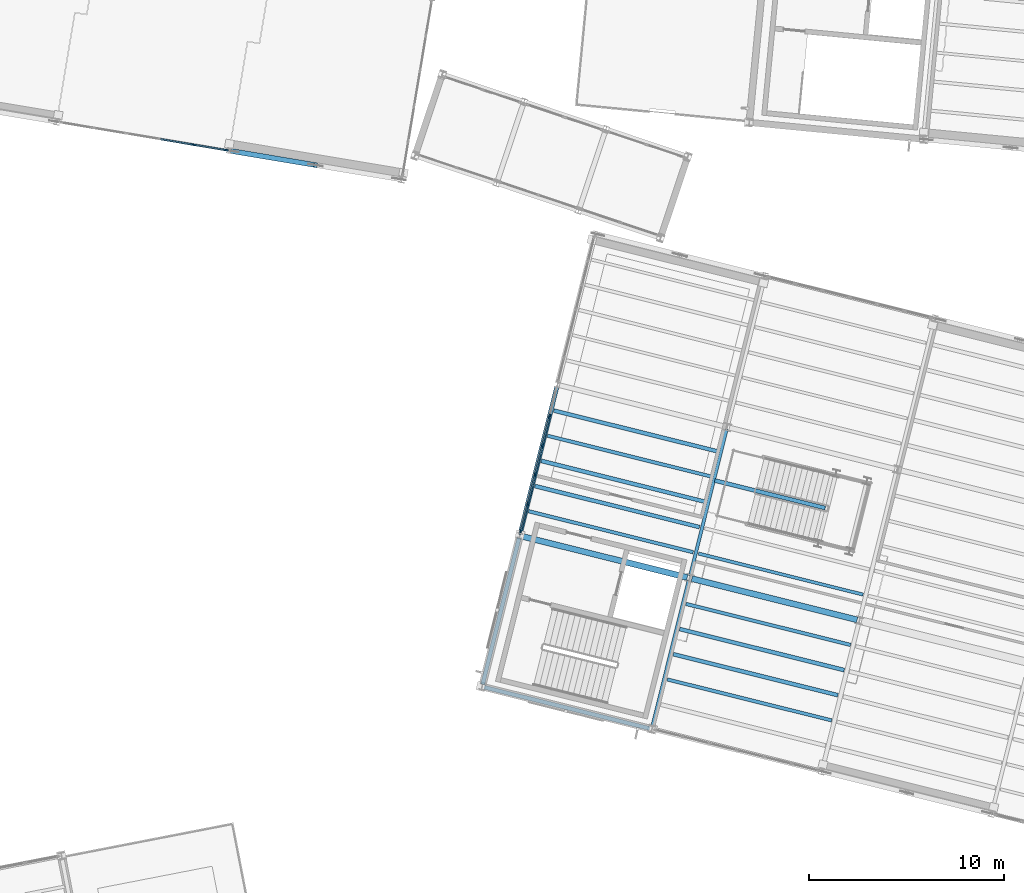
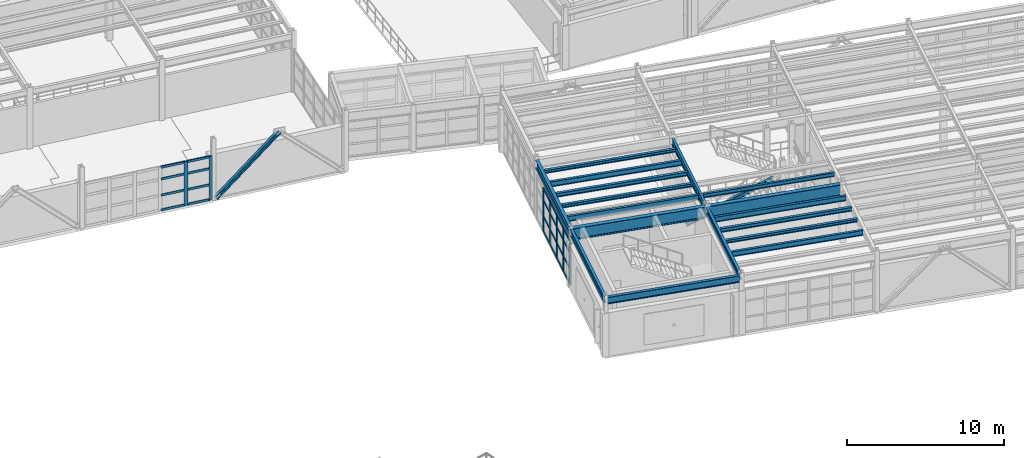
# One storey, part 24 of 102: 33 members, 17 beams, 2 elements without a shape of their own.
"""IFC4 building model written with IfcOpenShell, lengths in metres."""

from ifc_helpers import new_model, si_unit, direction, frame, origin, origin_2d, place, context, subcontext, project, spatial, rectangle, i_section, extrude, material, layer, layer_set, material_profile, profile_set, type_object, element, aggregate, save


model = new_model("IFC4")

# Units and contexts
model_context = context("Model", 3, precision=1e-05, world=origin(), true_north=direction((0.0, 1.0)))
body_context = subcontext(model_context, "Body", "Model", "MODEL_VIEW")
ifc_project = project(units=[si_unit("LENGTHUNIT", "METRE"), si_unit("AREAUNIT", "SQUARE_METRE"), si_unit("VOLUMEUNIT", "CUBIC_METRE"), si_unit("PLANEANGLEUNIT", "RADIAN"), si_unit("MASSUNIT", "GRAM", prefix="KILO")], contexts=[model_context])

# Site, building, storey
site_placement = place(None, origin())
site = spatial("IfcSite", under=ifc_project, at=site_placement, CompositionType="ELEMENT")
building_placement = place(site_placement, origin())
building = spatial("IfcBuilding", under=site, at=building_placement, Name="Vireo Bluff Cable Station", CompositionType="ELEMENT")
storey_placement = place(building_placement, frame((0.0, 0.0, 9.60009765625)))
storey = spatial("IfcBuildingStorey", under=building, at=storey_placement, Name="L02", CompositionType="ELEMENT", Elevation=9.60009765625)

# Beams
ifc_material_1 = material(Name="Steel ASTM A992 Gr. 50", Category="steel")
ifc_material_profile_1 = material_profile(ifc_material_1, i_section(OverallWidth=0.193115234375, OverallDepth=0.467041015625, WebThickness=0.011474609375, FlangeThickness=0.01904296875, FilletRadius=0.011962890625, at=origin_2d()), Name="W18X65")
ifc_profile_set_1 = profile_set([ifc_material_profile_1], Name="Steel ASTM A992 Gr. 50")
beam_type_1 = type_object("IfcBeamType", Name="BM-W18X65", PredefinedType="BEAM", material=ifc_profile_set_1)
beam_1_placement = place(storey_placement, frame((62.76171875, 35.939208984375, 4.306396484375), z_axis=(0.241906346953, 0.970299602857, 0.0), x_axis=(-0.970299602857, 0.241906346953, 0.0)))
element("IfcBeam", 1, at=beam_1_placement, inside=storey, type_object=beam_type_1, Name="V1 L02 beam 172", PredefinedType="BEAM", context=body_context, shape_type="SweptSolid", body=[
    extrude(i_section(OverallWidth=0.193115234375, OverallDepth=0.467041015625, WebThickness=0.011474609375, FlangeThickness=0.01904296875, FilletRadius=0.011962890625, at=origin_2d()), origin(), (0.0, 0.0, 1.0), 7.760009765625),
])
ifc_material_profile_2 = material_profile(ifc_material_1, i_section(OverallWidth=0.166015625, OverallDepth=0.528076171875, WebThickness=0.009765625, FlangeThickness=0.013671875, FilletRadius=0.012939453125, at=origin_2d()), Name="W21X50")
ifc_profile_set_2 = profile_set([ifc_material_profile_2], Name="Steel ASTM A992 Gr. 50")
beam_type_2 = type_object("IfcBeamType", Name="BM-W21X50", PredefinedType="BEAM", material=ifc_profile_set_2)
beam_2_placement = place(storey_placement, frame((64.697021484375, 43.701416015625, 4.27587890625), z_axis=(0.241935966891, 0.970292217801, 0.0), x_axis=(-0.970292217801, 0.241935966891, 0.0)))
element("IfcBeam", 2, at=beam_2_placement, inside=storey, type_object=beam_type_2, Name="V1 L02 beam 173", PredefinedType="BEAM", context=body_context, shape_type="SweptSolid", body=[
    extrude(i_section(OverallWidth=0.166015625, OverallDepth=0.528076171875, WebThickness=0.009765625, FlangeThickness=0.013671875, FilletRadius=0.012939453125, at=origin_2d()), origin(), (0.0, 0.0, 1.0), 7.760009765625),
])

# Member
ifc_material_profile_3 = material_profile(ifc_material_1, i_section(OverallWidth=0.2548828125, OverallDepth=0.256103515625, WebThickness=0.009521484375, FlangeThickness=0.015625, FilletRadius=0.009033203125, at=origin_2d()), Name="W10X54")
ifc_profile_set_3 = profile_set([ifc_material_profile_3], Name="Steel ASTM A992 Gr. 50")
member_type_1 = type_object("IfcMemberType", Name="BRC-02", PredefinedType="BRACE", material=ifc_profile_set_3)
member_1_placement = place(storey_placement, frame((41.1640625, 65.531982421875, 0.039794921875), z_axis=(0.713650967905, -0.119423483707, 0.690246570109), x_axis=(0.165046622801, 0.986285766044, 0.0)))
element("IfcMember", 3, at=member_1_placement, inside=storey, type_object=member_type_1, Name="V4 L02 concentric brace 79L", PredefinedType="BRACE", context=body_context, shape_type="SweptSolid", body=[
    extrude(i_section(OverallWidth=0.2548828125, OverallDepth=0.256103515625, WebThickness=0.009521484375, FlangeThickness=0.015625, FilletRadius=0.009033203125, at=origin_2d()), origin(), (0.0, 0.0, 1.0), 5.998046875),
])

# Curtain wall, members
ifc_material_2 = material(Name="Anodized Aluminium 6063-T6", Category="aluminium")
ifc_layer = layer(ifc_material_2, 0.179931640625, Name="Anodized Aluminium 6063-T6")
ifc_layer_set = layer_set([ifc_layer], Name="Anodized Aluminium 6063-T6")
curtain_wall_type = type_object("IfcCurtainWallType", Name="CW-UNIT-1650", PredefinedType="USERDEFINED", material=ifc_layer_set)
curtain_wall_1_placement = place(storey_placement, origin())
curtain_wall_1 = element("IfcCurtainWall", 4, at=curtain_wall_1_placement, inside=storey, type_object=curtain_wall_type, Name="V1 L02 west curtain wall CW-011", ObjectType="UNITISED CURTAIN WALL", PredefinedType="USERDEFINED")
ifc_material_profile_4 = material_profile(ifc_material_2, rectangle(XDim=0.080078125, YDim=0.239990234375, at=origin_2d()), Name="ALU-M-80X240")
ifc_profile_set_4 = profile_set([ifc_material_profile_4], Name="Anodized Aluminium 6063-T6")
member_type_2 = type_object("IfcMemberType", Name="CWM-04", PredefinedType="MULLION", material=ifc_profile_set_4)
member_2_placement = place(storey_placement, frame((55.9775390625, 45.93115234375, 0.0), z_axis=(0.0, 0.0, 1.0), x_axis=(-0.970295752053, 0.241921792212, 0.0)))
member_2 = element("IfcMember", 5, at=member_2_placement, type_object=member_type_2, Name="CW-011 mullion 1", PredefinedType="MULLION", context=body_context, shape_type="SweptSolid", body=[
    extrude(rectangle(XDim=0.080078125, YDim=0.239990234375, at=origin_2d()), origin(), (0.0, 0.0, 1.0), 3.39990234375),
])
member_3_placement = place(storey_placement, frame((56.342041015625, 47.3935546875, 0.0), z_axis=(0.0, 0.0, 1.0), x_axis=(-0.970295752053, 0.241921792212, 0.0)))
member_3 = element("IfcMember", 6, at=member_3_placement, type_object=member_type_2, Name="CW-011 mullion 2", PredefinedType="MULLION", context=body_context, shape_type="SweptSolid", body=[
    extrude(rectangle(XDim=0.080078125, YDim=0.239990234375, at=origin_2d()), origin(), (0.0, 0.0, 1.0), 3.39990234375),
])
member_4_placement = place(storey_placement, frame((56.71630859375, 48.894775390625, 0.0), z_axis=(0.0, 0.0, 1.0), x_axis=(-0.970295752053, 0.241921792212, 0.0)))
member_4 = element("IfcMember", 7, at=member_4_placement, type_object=member_type_2, Name="CW-011 mullion 3", PredefinedType="MULLION", context=body_context, shape_type="SweptSolid", body=[
    extrude(rectangle(XDim=0.080078125, YDim=0.239990234375, at=origin_2d()), origin(), (0.0, 0.0, 1.0), 3.39990234375),
])
member_5_placement = place(storey_placement, frame((57.090576171875, 50.39599609375, 0.0), z_axis=(0.0, 0.0, 1.0), x_axis=(-0.970295752053, 0.241921792212, 0.0)))
member_5 = element("IfcMember", 8, at=member_5_placement, type_object=member_type_2, Name="CW-011 mullion 4", PredefinedType="MULLION", context=body_context, shape_type="SweptSolid", body=[
    extrude(rectangle(XDim=0.080078125, YDim=0.239990234375, at=origin_2d()), origin(), (0.0, 0.0, 1.0), 3.39990234375),
])
member_6_placement = place(storey_placement, frame((57.465087890625, 51.8974609375, 0.0), z_axis=(0.0, 0.0, 1.0), x_axis=(-0.970295752053, 0.241921792212, 0.0)))
member_6 = element("IfcMember", 9, at=member_6_placement, type_object=member_type_2, Name="CW-011 mullion 5", PredefinedType="MULLION", context=body_context, shape_type="SweptSolid", body=[
    extrude(rectangle(XDim=0.080078125, YDim=0.239990234375, at=origin_2d()), origin(), (0.0, 0.0, 1.0), 3.39990234375),
])

curtain_wall_2_placement = place(storey_placement, origin())
curtain_wall_2 = element("IfcCurtainWall", 10, at=curtain_wall_2_placement, inside=storey, type_object=curtain_wall_type, Name="V4 L02 south curtain wall CW-095", ObjectType="UNITISED CURTAIN WALL", PredefinedType="USERDEFINED")
member_7_placement = place(storey_placement, frame((40.838134765625, 65.58642578125, 0.0), z_axis=(0.0, 0.0, 1.0), x_axis=(-0.165047637655, -0.986285596217, 0.0)))
member_7 = element("IfcMember", 11, at=member_7_placement, type_object=member_type_2, Name="CW-095 mullion 1", PredefinedType="MULLION", context=body_context, shape_type="SweptSolid", body=[
    extrude(rectangle(XDim=0.080078125, YDim=0.239990234375, at=origin_2d()), origin(), (0.0, 0.0, 1.0), 3.39990234375),
])
member_8_placement = place(storey_placement, frame((39.158935546875, 65.867431640625, 0.0), z_axis=(0.0, 0.0, 1.0), x_axis=(-0.165047637655, -0.986285596217, 0.0)))
member_8 = element("IfcMember", 12, at=member_8_placement, type_object=member_type_2, Name="CW-095 mullion 2", PredefinedType="MULLION", context=body_context, shape_type="SweptSolid", body=[
    extrude(rectangle(XDim=0.080078125, YDim=0.239990234375, at=origin_2d()), origin(), (0.0, 0.0, 1.0), 3.39990234375),
])

# Member
ifc_material_profile_5 = material_profile(ifc_material_2, rectangle(XDim=0.080078125, YDim=0.175048828125, at=origin_2d()), Name="ALU-T-80X175")
ifc_profile_set_5 = profile_set([ifc_material_profile_5], Name="Anodized Aluminium 6063-T6")
member_type_3 = type_object("IfcMemberType", Name="CWT-04", PredefinedType="USERDEFINED", material=ifc_profile_set_5)
member_9_placement = place(storey_placement, frame((55.987060546875, 45.969970703125, 0.039794921875), z_axis=(0.242052596656, 0.970263129492, 0.0), x_axis=(-0.970263129492, 0.242052596656, 0.0)))
member_9 = element("IfcMember", 13, at=member_9_placement, type_object=member_type_3, Name="CW-011 transom 1.1", ObjectType="TRANSOM", PredefinedType="USERDEFINED", context=body_context, shape_type="SweptSolid", body=[
    extrude(rectangle(XDim=0.080078125, YDim=0.175048828125, at=origin_2d()), origin(), (0.0, 0.0, 1.0), 1.42724609375),
])

member_10_placement = place(storey_placement, frame((55.987060546875, 45.969970703125, 1.18994140625), z_axis=(0.242052596656, 0.970263129492, 0.0), x_axis=(-0.970263129492, 0.242052596656, 0.0)))
member_10 = element("IfcMember", 14, at=member_10_placement, type_object=member_type_3, Name="CW-011 transom 1.2", ObjectType="TRANSOM", PredefinedType="USERDEFINED", context=body_context, shape_type="SweptSolid", body=[
    extrude(rectangle(XDim=0.080078125, YDim=0.175048828125, at=origin_2d()), origin(), (0.0, 0.0, 1.0), 1.42724609375),
])

member_11_placement = place(storey_placement, frame((55.987060546875, 45.969970703125, 2.447998046875), z_axis=(0.242052596656, 0.970263129492, 0.0), x_axis=(-0.970263129492, 0.242052596656, 0.0)))
member_11 = element("IfcMember", 15, at=member_11_placement, type_object=member_type_3, Name="CW-011 transom 1.3", ObjectType="TRANSOM", PredefinedType="USERDEFINED", context=body_context, shape_type="SweptSolid", body=[
    extrude(rectangle(XDim=0.080078125, YDim=0.175048828125, at=origin_2d()), origin(), (0.0, 0.0, 1.0), 1.42724609375),
])

member_12_placement = place(storey_placement, frame((55.987060546875, 45.969970703125, 3.35986328125), z_axis=(0.242052596656, 0.970263129492, 0.0), x_axis=(-0.970263129492, 0.242052596656, 0.0)))
member_12 = element("IfcMember", 16, at=member_12_placement, type_object=member_type_3, Name="CW-011 transom 1.4", ObjectType="TRANSOM", PredefinedType="USERDEFINED", context=body_context, shape_type="SweptSolid", body=[
    extrude(rectangle(XDim=0.080078125, YDim=0.175048828125, at=origin_2d()), origin(), (0.0, 0.0, 1.0), 1.42724609375),
])

member_13_placement = place(storey_placement, frame((56.351806640625, 47.432373046875, 0.039794921875), z_axis=(0.241948279971, 0.970289147532, 0.0), x_axis=(-0.970289147532, 0.241948279971, 0.0)))
member_13 = element("IfcMember", 17, at=member_13_placement, type_object=member_type_3, Name="CW-011 transom 2.1", ObjectType="TRANSOM", PredefinedType="USERDEFINED", context=body_context, shape_type="SweptSolid", body=[
    extrude(rectangle(XDim=0.080078125, YDim=0.175048828125, at=origin_2d()), origin(), (0.0, 0.0, 1.0), 1.46728515625),
])

member_14_placement = place(storey_placement, frame((56.351806640625, 47.432373046875, 1.18994140625), z_axis=(0.241948279971, 0.970289147532, 0.0), x_axis=(-0.970289147532, 0.241948279971, 0.0)))
member_14 = element("IfcMember", 18, at=member_14_placement, type_object=member_type_3, Name="CW-011 transom 2.2", ObjectType="TRANSOM", PredefinedType="USERDEFINED", context=body_context, shape_type="SweptSolid", body=[
    extrude(rectangle(XDim=0.080078125, YDim=0.175048828125, at=origin_2d()), origin(), (0.0, 0.0, 1.0), 1.46728515625),
])

member_15_placement = place(storey_placement, frame((56.351806640625, 47.432373046875, 2.447998046875), z_axis=(0.241948279971, 0.970289147532, 0.0), x_axis=(-0.970289147532, 0.241948279971, 0.0)))
member_15 = element("IfcMember", 19, at=member_15_placement, type_object=member_type_3, Name="CW-011 transom 2.3", ObjectType="TRANSOM", PredefinedType="USERDEFINED", context=body_context, shape_type="SweptSolid", body=[
    extrude(rectangle(XDim=0.080078125, YDim=0.175048828125, at=origin_2d()), origin(), (0.0, 0.0, 1.0), 1.46728515625),
])

member_16_placement = place(storey_placement, frame((56.351806640625, 47.432373046875, 3.35986328125), z_axis=(0.241948279971, 0.970289147532, 0.0), x_axis=(-0.970289147532, 0.241948279971, 0.0)))
member_16 = element("IfcMember", 20, at=member_16_placement, type_object=member_type_3, Name="CW-011 transom 2.4", ObjectType="TRANSOM", PredefinedType="USERDEFINED", context=body_context, shape_type="SweptSolid", body=[
    extrude(rectangle(XDim=0.080078125, YDim=0.175048828125, at=origin_2d()), origin(), (0.0, 0.0, 1.0), 1.46728515625),
])

member_17_placement = place(storey_placement, frame((56.72607421875, 48.93359375, 0.039794921875), z_axis=(0.241948279971, 0.970289147532, 0.0), x_axis=(-0.970289147532, 0.241948279971, 0.0)))
member_17 = element("IfcMember", 21, at=member_17_placement, type_object=member_type_3, Name="CW-011 transom 3.1", ObjectType="TRANSOM", PredefinedType="USERDEFINED", context=body_context, shape_type="SweptSolid", body=[
    extrude(rectangle(XDim=0.080078125, YDim=0.175048828125, at=origin_2d()), origin(), (0.0, 0.0, 1.0), 1.46728515625),
])

member_18_placement = place(storey_placement, frame((56.72607421875, 48.93359375, 1.18994140625), z_axis=(0.241948279971, 0.970289147532, 0.0), x_axis=(-0.970289147532, 0.241948279971, 0.0)))
member_18 = element("IfcMember", 22, at=member_18_placement, type_object=member_type_3, Name="CW-011 transom 3.2", ObjectType="TRANSOM", PredefinedType="USERDEFINED", context=body_context, shape_type="SweptSolid", body=[
    extrude(rectangle(XDim=0.080078125, YDim=0.175048828125, at=origin_2d()), origin(), (0.0, 0.0, 1.0), 1.46728515625),
])

member_19_placement = place(storey_placement, frame((56.72607421875, 48.93359375, 2.447998046875), z_axis=(0.241948279971, 0.970289147532, 0.0), x_axis=(-0.970289147532, 0.241948279971, 0.0)))
member_19 = element("IfcMember", 23, at=member_19_placement, type_object=member_type_3, Name="CW-011 transom 3.3", ObjectType="TRANSOM", PredefinedType="USERDEFINED", context=body_context, shape_type="SweptSolid", body=[
    extrude(rectangle(XDim=0.080078125, YDim=0.175048828125, at=origin_2d()), origin(), (0.0, 0.0, 1.0), 1.46728515625),
])

member_20_placement = place(storey_placement, frame((56.72607421875, 48.93359375, 3.35986328125), z_axis=(0.241948279971, 0.970289147532, 0.0), x_axis=(-0.970289147532, 0.241948279971, 0.0)))
member_20 = element("IfcMember", 24, at=member_20_placement, type_object=member_type_3, Name="CW-011 transom 3.4", ObjectType="TRANSOM", PredefinedType="USERDEFINED", context=body_context, shape_type="SweptSolid", body=[
    extrude(rectangle(XDim=0.080078125, YDim=0.175048828125, at=origin_2d()), origin(), (0.0, 0.0, 1.0), 1.46728515625),
])

member_21_placement = place(storey_placement, frame((57.100341796875, 50.434814453125, 0.039794921875), z_axis=(0.24190922162, 0.970298886166, 0.0), x_axis=(-0.970298886166, 0.24190922162, 0.0)))
member_21 = element("IfcMember", 25, at=member_21_placement, type_object=member_type_3, Name="CW-011 transom 4.1", ObjectType="TRANSOM", PredefinedType="USERDEFINED", context=body_context, shape_type="SweptSolid", body=[
    extrude(rectangle(XDim=0.080078125, YDim=0.175048828125, at=origin_2d()), origin(), (0.0, 0.0, 1.0), 1.467529296875),
])

member_22_placement = place(storey_placement, frame((57.100341796875, 50.434814453125, 1.18994140625), z_axis=(0.24190922162, 0.970298886166, 0.0), x_axis=(-0.970298886166, 0.24190922162, 0.0)))
member_22 = element("IfcMember", 26, at=member_22_placement, type_object=member_type_3, Name="CW-011 transom 4.2", ObjectType="TRANSOM", PredefinedType="USERDEFINED", context=body_context, shape_type="SweptSolid", body=[
    extrude(rectangle(XDim=0.080078125, YDim=0.175048828125, at=origin_2d()), origin(), (0.0, 0.0, 1.0), 1.467529296875),
])

member_23_placement = place(storey_placement, frame((57.100341796875, 50.434814453125, 2.447998046875), z_axis=(0.24190922162, 0.970298886166, 0.0), x_axis=(-0.970298886166, 0.24190922162, 0.0)))
member_23 = element("IfcMember", 27, at=member_23_placement, type_object=member_type_3, Name="CW-011 transom 4.3", ObjectType="TRANSOM", PredefinedType="USERDEFINED", context=body_context, shape_type="SweptSolid", body=[
    extrude(rectangle(XDim=0.080078125, YDim=0.175048828125, at=origin_2d()), origin(), (0.0, 0.0, 1.0), 1.467529296875),
])

member_24_placement = place(storey_placement, frame((57.100341796875, 50.434814453125, 3.35986328125), z_axis=(0.24190922162, 0.970298886166, 0.0), x_axis=(-0.970298886166, 0.24190922162, 0.0)))
member_24 = element("IfcMember", 28, at=member_24_placement, type_object=member_type_3, Name="CW-011 transom 4.4", ObjectType="TRANSOM", PredefinedType="USERDEFINED", context=body_context, shape_type="SweptSolid", body=[
    extrude(rectangle(XDim=0.080078125, YDim=0.175048828125, at=origin_2d()), origin(), (0.0, 0.0, 1.0), 1.467529296875),
])

aggregate(curtain_wall_1, [member_2, member_3, member_4, member_5, member_6, member_9, member_10, member_11, member_12, member_13, member_14, member_15, member_16, member_17, member_18, member_19, member_20, member_21, member_22, member_23, member_24])

member_25_placement = place(storey_placement, frame((40.798583984375, 65.593017578125, 0.039794921875), z_axis=(-0.986283906635, 0.165057733879, 0.0), x_axis=(-0.165057733879, -0.986283906635, 0.0)))
member_25 = element("IfcMember", 29, at=member_25_placement, type_object=member_type_3, Name="CW-095 transom 1.1", ObjectType="TRANSOM", PredefinedType="USERDEFINED", context=body_context, shape_type="SweptSolid", body=[
    extrude(rectangle(XDim=0.080078125, YDim=0.175048828125, at=origin_2d()), origin(), (0.0, 0.0, 1.0), 1.62255859375),
])

member_26_placement = place(storey_placement, frame((40.798583984375, 65.593017578125, 1.18994140625), z_axis=(-0.986283906635, 0.165057733879, 0.0), x_axis=(-0.165057733879, -0.986283906635, 0.0)))
member_26 = element("IfcMember", 30, at=member_26_placement, type_object=member_type_3, Name="CW-095 transom 1.2", ObjectType="TRANSOM", PredefinedType="USERDEFINED", context=body_context, shape_type="SweptSolid", body=[
    extrude(rectangle(XDim=0.080078125, YDim=0.175048828125, at=origin_2d()), origin(), (0.0, 0.0, 1.0), 1.62255859375),
])

member_27_placement = place(storey_placement, frame((40.798583984375, 65.593017578125, 2.447998046875), z_axis=(-0.986283906635, 0.165057733879, 0.0), x_axis=(-0.165057733879, -0.986283906635, 0.0)))
member_27 = element("IfcMember", 31, at=member_27_placement, type_object=member_type_3, Name="CW-095 transom 1.3", ObjectType="TRANSOM", PredefinedType="USERDEFINED", context=body_context, shape_type="SweptSolid", body=[
    extrude(rectangle(XDim=0.080078125, YDim=0.175048828125, at=origin_2d()), origin(), (0.0, 0.0, 1.0), 1.62255859375),
])

member_28_placement = place(storey_placement, frame((40.798583984375, 65.593017578125, 3.35986328125), z_axis=(-0.986283906635, 0.165057733879, 0.0), x_axis=(-0.165057733879, -0.986283906635, 0.0)))
member_28 = element("IfcMember", 32, at=member_28_placement, type_object=member_type_3, Name="CW-095 transom 1.4", ObjectType="TRANSOM", PredefinedType="USERDEFINED", context=body_context, shape_type="SweptSolid", body=[
    extrude(rectangle(XDim=0.080078125, YDim=0.175048828125, at=origin_2d()), origin(), (0.0, 0.0, 1.0), 1.62255859375),
])

member_29_placement = place(storey_placement, frame((39.119384765625, 65.8740234375, 0.039794921875), z_axis=(-0.986282564444, 0.165065753787, 0.0), x_axis=(-0.165065753787, -0.986282564444, 0.0)))
member_29 = element("IfcMember", 33, at=member_29_placement, type_object=member_type_3, Name="CW-095 transom 2.1", ObjectType="TRANSOM", PredefinedType="USERDEFINED", context=body_context, shape_type="SweptSolid", body=[
    extrude(rectangle(XDim=0.080078125, YDim=0.175048828125, at=origin_2d()), origin(), (0.0, 0.0, 1.0), 1.662353515625),
])

member_30_placement = place(storey_placement, frame((39.119384765625, 65.8740234375, 1.18994140625), z_axis=(-0.986282564444, 0.165065753787, 0.0), x_axis=(-0.165065753787, -0.986282564444, 0.0)))
member_30 = element("IfcMember", 34, at=member_30_placement, type_object=member_type_3, Name="CW-095 transom 2.2", ObjectType="TRANSOM", PredefinedType="USERDEFINED", context=body_context, shape_type="SweptSolid", body=[
    extrude(rectangle(XDim=0.080078125, YDim=0.175048828125, at=origin_2d()), origin(), (0.0, 0.0, 1.0), 1.662353515625),
])

member_31_placement = place(storey_placement, frame((39.119384765625, 65.8740234375, 2.447998046875), z_axis=(-0.986282564444, 0.165065753787, 0.0), x_axis=(-0.165065753787, -0.986282564444, 0.0)))
member_31 = element("IfcMember", 35, at=member_31_placement, type_object=member_type_3, Name="CW-095 transom 2.3", ObjectType="TRANSOM", PredefinedType="USERDEFINED", context=body_context, shape_type="SweptSolid", body=[
    extrude(rectangle(XDim=0.080078125, YDim=0.175048828125, at=origin_2d()), origin(), (0.0, 0.0, 1.0), 1.662353515625),
])

member_32_placement = place(storey_placement, frame((39.119384765625, 65.8740234375, 3.35986328125), z_axis=(-0.986282564444, 0.165065753787, 0.0), x_axis=(-0.165065753787, -0.986282564444, 0.0)))
member_32 = element("IfcMember", 36, at=member_32_placement, type_object=member_type_3, Name="CW-095 transom 2.4", ObjectType="TRANSOM", PredefinedType="USERDEFINED", context=body_context, shape_type="SweptSolid", body=[
    extrude(rectangle(XDim=0.080078125, YDim=0.175048828125, at=origin_2d()), origin(), (0.0, 0.0, 1.0), 1.662353515625),
])

aggregate(curtain_wall_2, [member_7, member_8, member_25, member_26, member_27, member_28, member_29, member_30, member_31, member_32])

# Beams
ifc_material_profile_6 = material_profile(ifc_material_1, i_section(OverallWidth=0.303955078125, OverallDepth=0.912109375, WebThickness=0.015869140625, FlangeThickness=0.02392578125, FilletRadius=0.02001953125, at=origin_2d()), Name="W36X150")
ifc_profile_set_6 = profile_set([ifc_material_profile_6], Name="Steel ASTM A992 Gr. 50")
beam_type_3 = type_object("IfcBeamType", Name="GIR-W36X150", PredefinedType="USERDEFINED", material=ifc_profile_set_6)
beam_3_placement = place(storey_placement, frame((56.0517578125, 45.7333984375, 4.083984375), z_axis=(0.970291502693, -0.241938834838, 0.0), x_axis=(0.241938834838, 0.970291502693, 0.0)))
element("IfcBeam", 37, at=beam_3_placement, inside=storey, type_object=beam_type_3, Name="V1 L02 girder 151", ObjectType="GIRDER", PredefinedType="USERDEFINED", context=body_context, shape_type="SweptSolid", body=[
    extrude(i_section(OverallWidth=0.303955078125, OverallDepth=0.912109375, WebThickness=0.015869140625, FlangeThickness=0.02392578125, FilletRadius=0.02001953125, at=origin_2d()), origin(), (0.0, 0.0, 1.0), 8.760009765625),
])
ifc_material_profile_7 = material_profile(ifc_material_1, i_section(OverallWidth=0.306884765625, OverallDepth=0.927001953125, WebThickness=0.019287109375, FlangeThickness=0.031982421875, FilletRadius=0.02001953125, at=origin_2d()), Name="W36X194")
ifc_profile_set_7 = profile_set([ifc_material_profile_7], Name="Steel ASTM A992 Gr. 50")
beam_type_4 = type_object("IfcBeamType", Name="GIR-W36X194", PredefinedType="USERDEFINED", material=ifc_profile_set_7)
beam_4_placement = place(storey_placement, frame((64.784423828125, 43.55615234375, 4.076416015625), z_axis=(0.970291502693, -0.241938834838, 0.0), x_axis=(0.241938834838, 0.970291502693, 0.0)))
element("IfcBeam", 38, at=beam_4_placement, inside=storey, type_object=beam_type_4, Name="V1 L02 girder 152", ObjectType="GIRDER", PredefinedType="USERDEFINED", context=body_context, shape_type="SweptSolid", body=[
    extrude(i_section(OverallWidth=0.306884765625, OverallDepth=0.927001953125, WebThickness=0.019287109375, FlangeThickness=0.031982421875, FilletRadius=0.02001953125, at=origin_2d()), origin(), (0.0, 0.0, 1.0), 8.760009765625),
])
ifc_material_profile_8 = material_profile(ifc_material_1, i_section(OverallWidth=0.201904296875, OverallDepth=0.2470703125, WebThickness=0.00732421875, FlangeThickness=0.010986328125, FilletRadius=0.009033203125, at=origin_2d()), Name="W10X33")
ifc_profile_set_8 = profile_set([ifc_material_profile_8], Name="Steel ASTM A992 Gr. 50")
beam_type_5 = type_object("IfcBeamType", Name="JST-W10X33", PredefinedType="JOIST", material=ifc_profile_set_8)
for number, where, z_axis, x_axis, name in (
    (39, (56.71630859375, 48.31591796875, 4.41650390625), (0.970293828661, -0.24192950639, 0.0), (0.24192950639, 0.970293828661, 0.0), "V1 L02 composite joist 191"),
    (40, (57.68408203125, 52.197021484375, 4.41650390625), (0.970300400641, -0.241903146974, 0.0), (0.241903146974, 0.970300400641, 0.0), "V1 L02 composite joist 194"),
    (41, (63.836181640625, 39.669921875, 4.41650390625), (0.970300400641, -0.241903146974, 0.0), (0.241903146974, 0.970300400641, 0.0), "V1 L02 composite joist 202"),
):
    element("IfcBeam", number, at=place(storey_placement, frame(where, z_axis=z_axis, x_axis=x_axis)), inside=storey, type_object=beam_type_5, Name=name, PredefinedType="JOIST", context=body_context, shape_type="SweptSolid", body=[
        extrude(i_section(OverallWidth=0.201904296875, OverallDepth=0.2470703125, WebThickness=0.00732421875, FlangeThickness=0.010986328125, FilletRadius=0.009033203125, at=origin_2d()), origin(), (0.0, 0.0, 1.0), 8.719970703125),
    ])
ifc_material_profile_9 = material_profile(ifc_material_1, i_section(OverallWidth=0.1650390625, OverallDepth=0.31005859375, WebThickness=0.005859375, FlangeThickness=0.009765625, FilletRadius=0.010009765625, at=origin_2d()), Name="W12X26")
ifc_profile_set_9 = profile_set([ifc_material_profile_9], Name="Steel ASTM A992 Gr. 50")
beam_type_6 = type_object("IfcBeamType", Name="JST-W12X26", PredefinedType="JOIST", material=ifc_profile_set_9)
beam_5_placement = place(storey_placement, frame((65.12646484375, 44.844970703125, 4.385009765625), z_axis=(0.970293828661, -0.24192950639, 0.0), x_axis=(0.24192950639, 0.970293828661, 0.0)))
element("IfcBeam", 42, at=beam_5_placement, inside=storey, type_object=beam_type_6, Name="V1 L02 composite joist 205", PredefinedType="JOIST", context=body_context, shape_type="SweptSolid", body=[
    extrude(i_section(OverallWidth=0.1650390625, OverallDepth=0.31005859375, WebThickness=0.005859375, FlangeThickness=0.009765625, FilletRadius=0.010009765625, at=origin_2d()), origin(), (0.0, 0.0, 1.0), 8.719970703125),
])
ifc_material_profile_10 = material_profile(ifc_material_1, i_section(OverallWidth=0.202880859375, OverallDepth=0.302978515625, WebThickness=0.007568359375, FlangeThickness=0.01318359375, FilletRadius=0.010009765625, at=origin_2d()), Name="W12X40")
ifc_profile_set_10 = profile_set([ifc_material_profile_10], Name="Steel ASTM A992 Gr. 50")
beam_type_7 = type_object("IfcBeamType", Name="JST-W12X40", PredefinedType="JOIST", material=ifc_profile_set_10)
beam_6_placement = place(storey_placement, frame((57.038818359375, 49.609619140625, 4.388427734375), z_axis=(0.970295467306, -0.24192293427, 0.0), x_axis=(0.24192293427, 0.970295467306, 0.0)))
element("IfcBeam", 43, at=beam_6_placement, inside=storey, type_object=beam_type_7, Name="V1 L02 composite joist 192", PredefinedType="JOIST", context=body_context, shape_type="SweptSolid", body=[
    extrude(i_section(OverallWidth=0.202880859375, OverallDepth=0.302978515625, WebThickness=0.007568359375, FlangeThickness=0.01318359375, FilletRadius=0.010009765625, at=origin_2d()), origin(), (0.0, 0.0, 1.0), 8.72021484375),
])
beam_7_placement = place(storey_placement, frame((64.15869140625, 40.963623046875, 4.388427734375), z_axis=(0.970300400641, -0.241903146974, 0.0), x_axis=(0.241903146974, 0.970300400641, 0.0)))
element("IfcBeam", 44, at=beam_7_placement, inside=storey, type_object=beam_type_7, Name="V1 L02 composite joist 203", PredefinedType="JOIST", context=body_context, shape_type="SweptSolid", body=[
    extrude(i_section(OverallWidth=0.202880859375, OverallDepth=0.302978515625, WebThickness=0.007568359375, FlangeThickness=0.01318359375, FilletRadius=0.010009765625, at=origin_2d()), origin(), (0.0, 0.0, 1.0), 8.719970703125),
])
ifc_material_profile_11 = material_profile(ifc_material_1, i_section(OverallWidth=0.177978515625, OverallDepth=0.404052734375, WebThickness=0.007568359375, FlangeThickness=0.010986328125, FilletRadius=0.010009765625, at=origin_2d()), Name="W16X36")
ifc_profile_set_11 = profile_set([ifc_material_profile_11], Name="Steel ASTM A992 Gr. 50")
beam_type_8 = type_object("IfcBeamType", Name="JST-W16X36", PredefinedType="JOIST", material=ifc_profile_set_11)
for number, where, z_axis, x_axis, name in (
    (45, (56.393798828125, 47.022216796875, 4.337890625), (0.970293828661, -0.24192950639, 0.0), (0.24192950639, 0.970293828661, 0.0), "V1 L02 composite joist 190"),
    (46, (57.361572265625, 50.9033203125, 4.337890625), (0.970300400641, -0.241903146974, 0.0), (0.241903146974, 0.970300400641, 0.0), "V1 L02 composite joist 193"),
    (47, (63.513671875, 38.376220703125, 4.337890625), (0.970300400641, -0.241903146974, 0.0), (0.241903146974, 0.970300400641, 0.0), "V1 L02 composite joist 201"),
):
    element("IfcBeam", number, at=place(storey_placement, frame(where, z_axis=z_axis, x_axis=x_axis)), inside=storey, type_object=beam_type_8, Name=name, PredefinedType="JOIST", context=body_context, shape_type="SweptSolid", body=[
        extrude(i_section(OverallWidth=0.177978515625, OverallDepth=0.404052734375, WebThickness=0.007568359375, FlangeThickness=0.010986328125, FilletRadius=0.010009765625, at=origin_2d()), origin(), (0.0, 0.0, 1.0), 8.719970703125),
    ])
beam_8_placement = place(storey_placement, frame((64.481201171875, 42.257568359375, 4.337890625), z_axis=(0.970295467306, -0.24192293427, 0.0), x_axis=(0.24192293427, 0.970295467306, 0.0)))
element("IfcBeam", 48, at=beam_8_placement, inside=storey, type_object=beam_type_8, Name="V1 L02 composite joist 204", PredefinedType="JOIST", context=body_context, shape_type="SweptSolid", body=[
    extrude(i_section(OverallWidth=0.177978515625, OverallDepth=0.404052734375, WebThickness=0.007568359375, FlangeThickness=0.010986328125, FilletRadius=0.010009765625, at=origin_2d()), origin(), (0.0, 0.0, 1.0), 8.72021484375),
])
ifc_material_profile_12 = material_profile(ifc_material_1, i_section(OverallWidth=0.2099609375, OverallDepth=0.535888671875, WebThickness=0.010986328125, FlangeThickness=0.017333984375, FilletRadius=0.012939453125, at=origin_2d()), Name="W21X68")
ifc_profile_set_12 = profile_set([ifc_material_profile_12], Name="Steel ASTM A992 Gr. 50")
beam_type_9 = type_object("IfcBeamType", Name="SPN-W21X68", PredefinedType="SPANDREL", material=ifc_profile_set_12)
beam_9_placement = place(storey_placement, frame((54.116455078125, 37.970947265625, 4.27197265625), z_axis=(0.970298044881, -0.241912595995, 0.0), x_axis=(0.241912595995, 0.970298044881, 0.0)))
element("IfcBeam", 49, at=beam_9_placement, inside=storey, type_object=beam_type_9, Name="V1 L02 spandrel 145", PredefinedType="SPANDREL", context=body_context, shape_type="SweptSolid", body=[
    extrude(i_section(OverallWidth=0.2099609375, OverallDepth=0.535888671875, WebThickness=0.010986328125, FlangeThickness=0.017333984375, FilletRadius=0.012939453125, at=origin_2d()), origin(), (0.0, 0.0, 1.0), 8.760009765625),
])
beam_10_placement = place(storey_placement, frame((54.029052734375, 38.116455078125, 4.27197265625), z_axis=(0.241906346953, 0.970299602857, 0.0), x_axis=(-0.970299602857, 0.241906346953, 0.0)))
element("IfcBeam", 50, at=beam_10_placement, inside=storey, type_object=beam_type_9, Name="V1 L02 spandrel 169", PredefinedType="SPANDREL", context=body_context, shape_type="SweptSolid", body=[
    extrude(i_section(OverallWidth=0.2099609375, OverallDepth=0.535888671875, WebThickness=0.010986328125, FlangeThickness=0.017333984375, FilletRadius=0.012939453125, at=origin_2d()), origin(), (0.0, 0.0, 1.0), 7.760009765625),
])
ifc_material_profile_13 = material_profile(ifc_material_1, i_section(OverallWidth=0.22802734375, OverallDepth=0.60693359375, WebThickness=0.01123046875, FlangeThickness=0.017333984375, FilletRadius=0.012939453125, at=origin_2d()), Name="W24X76")
ifc_profile_set_13 = profile_set([ifc_material_profile_13], Name="Steel ASTM A992 Gr. 50")
beam_type_10 = type_object("IfcBeamType", Name="SPN-W24X76", PredefinedType="SPANDREL", material=ifc_profile_set_13)
beam_11_placement = place(storey_placement, frame((55.96435546875, 45.87890625, 4.236328125), z_axis=(0.241943352562, 0.970290376203, 0.0), x_axis=(-0.970290376203, 0.241943352562, 0.0)))
element("IfcBeam", 51, at=beam_11_placement, inside=storey, type_object=beam_type_10, Name="V1 L02 spandrel 170", PredefinedType="SPANDREL", context=body_context, shape_type="SweptSolid", body=[
    extrude(i_section(OverallWidth=0.22802734375, OverallDepth=0.60693359375, WebThickness=0.01123046875, FlangeThickness=0.017333984375, FilletRadius=0.012939453125, at=origin_2d()), origin(), (0.0, 0.0, 1.0), 7.759765625),
])

# Member
ifc_material_profile_14 = material_profile(ifc_material_1, i_section(OverallWidth=0.202880859375, OverallDepth=0.302978515625, WebThickness=0.007568359375, FlangeThickness=0.01318359375, FilletRadius=0.010009765625, at=origin_2d()), Name="W12X40")
ifc_profile_set_14 = profile_set([ifc_material_profile_14], Name="Steel ASTM A992 Gr. 50")
member_type_4 = type_object("IfcMemberType", Name="STRINGER-02", PredefinedType="STRINGER", material=ifc_profile_set_14)
member_33_placement = place(storey_placement, frame((66.018310546875, 48.5869140625, -0.440185546875), z_axis=(0.894153271347, -0.222913345121, 0.38832920043), x_axis=(0.241897269349, 0.970301865958, 0.0)))
element("IfcMember", 52, at=member_33_placement, inside=storey, type_object=member_type_4, Name="ST-10 L02 steel stair stringer", PredefinedType="STRINGER", context=body_context, shape_type="SweptSolid", body=[
    extrude(i_section(OverallWidth=0.202880859375, OverallDepth=0.302978515625, WebThickness=0.007568359375, FlangeThickness=0.01318359375, FilletRadius=0.010009765625, at=origin_2d()), origin(), (0.0, 0.0, 1.0), 6.347900390625),
])

save(model, "model.ifc")
